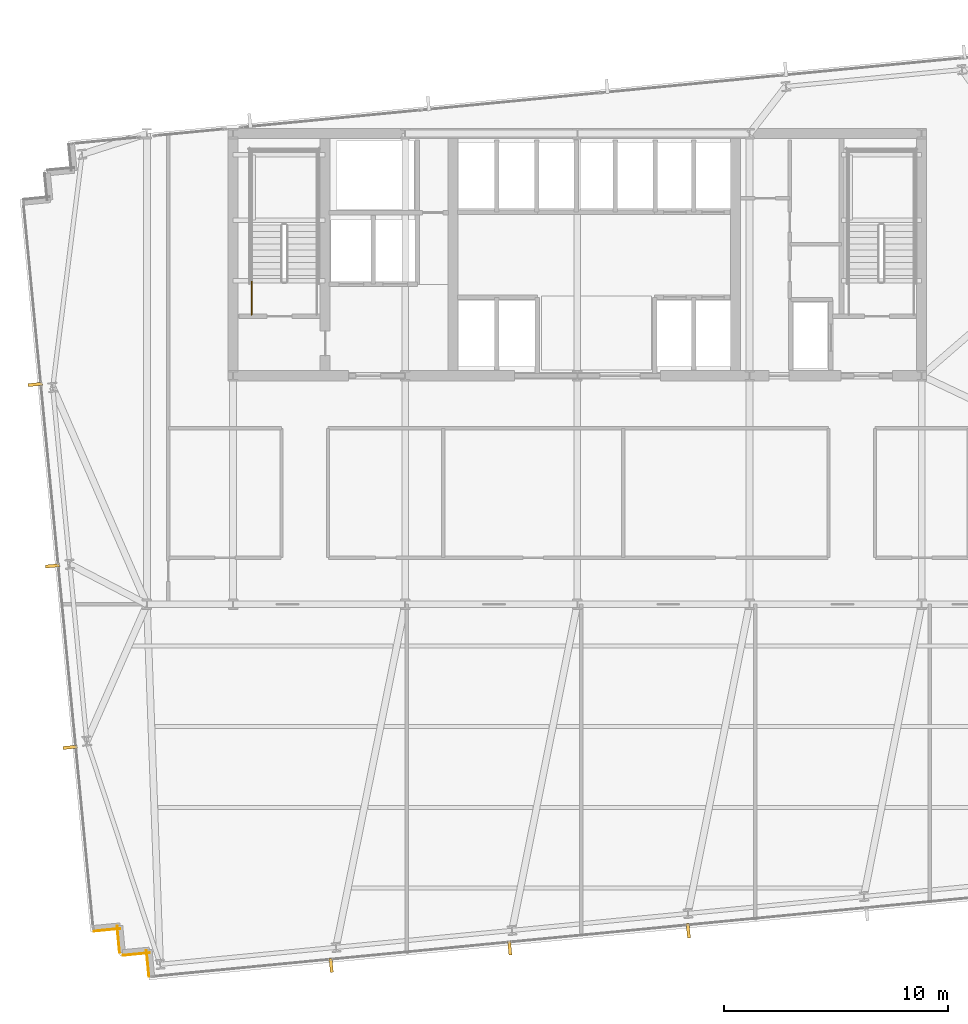
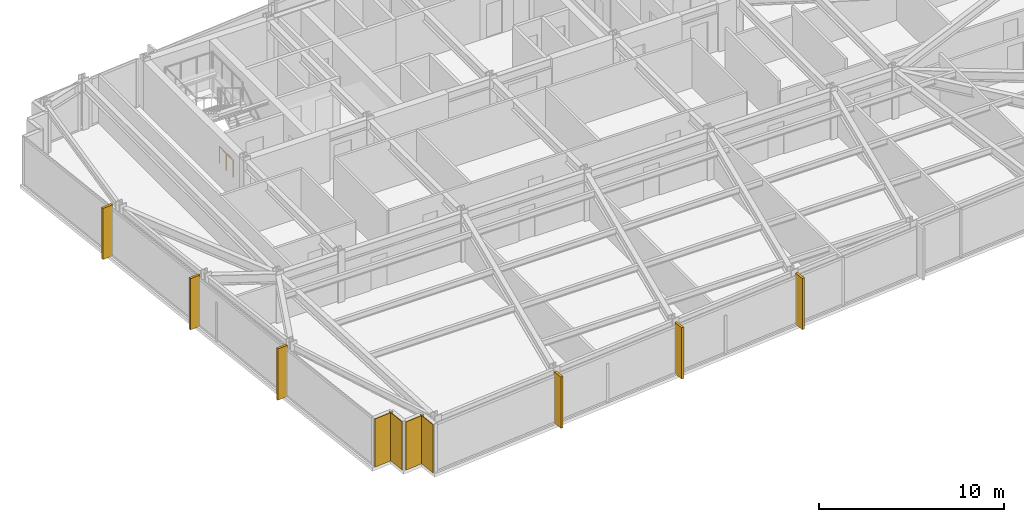
# One storey, part 27 of 32: 6 shading devices, 4 coverings, 1 railing.
"""IFC4 building model written with IfcOpenShell, lengths in metres."""

import ifcopenshell
import ifcopenshell.guid

model = None  # the IFC model being written
_history = None  # IfcOwnerHistory: only IFC2X3 demands one
_inside = {}  # id of a spatial element -> (the spatial element, [elements in it])
_under = {}  # id of a project, library or spatial element -> (it, [spatial elements below it])
_declared = {}  # id of a project -> (the project, [libraries it declares])
_typed = {}  # id of a type object -> (the type object, [elements of that type])
_made_of = {}  # id of a material, layer set ... -> (it, [elements and type objects made of it])


def new_model(schema):
    """Start an empty IFC model of exactly this schema.

    Asked for "IFC4X3", IfcOpenShell would pick the latest addendum, in which some entities
    have other attributes; the version numbers below select the first issue.
    IFC2X3 requires an IfcOwnerHistory on every rooted entity: one is made here for all.
    """
    global model, _history
    if schema == "IFC4X3":
        model = ifcopenshell.file(schema_version=(4, 3, 0, 0))
    else:
        model = ifcopenshell.file(schema=schema)
    _inside.clear()
    _under.clear()
    _declared.clear()
    _typed.clear()
    _made_of.clear()
    _history = None
    if model.schema == "IFC2X3":
        org = make("IfcOrganization", Name="unknown")
        user = make(
            "IfcPersonAndOrganization",
            ThePerson=make("IfcPerson", FamilyName="unknown"),
            TheOrganization=org,
        )
        app = make(
            "IfcApplication",
            ApplicationDeveloper=org,
            Version="unknown",
            ApplicationFullName="unknown",
            ApplicationIdentifier="unknown",
        )
        _history = make(
            "IfcOwnerHistory",
            OwningUser=user,
            OwningApplication=app,
            ChangeAction="ADDED",
            CreationDate=0,
        )
    return model


def make(cls, **values):
    """One entity of the class cls with the attributes given. An attribute that is None is left unset."""
    return model.create_entity(
        cls, **{name: value for name, value in values.items() if value is not None}
    )


def rooted(cls, **values):
    """An entity with a GlobalId (a new one), such as an element, a storey or a relation."""
    return make(cls, GlobalId=ifcopenshell.guid.new(), OwnerHistory=_history, **values)


def si_unit(unit_type, name, prefix=None):
    """IfcSIUnit, for example si_unit("LENGTHUNIT", "METRE", prefix="MILLI")."""
    return make("IfcSIUnit", UnitType=unit_type, Prefix=prefix, Name=name)


def assignment(units):
    """IfcUnitAssignment: the units of a project."""
    return None if units is None else make("IfcUnitAssignment", Units=units)


def point(xyz):
    """IfcCartesianPoint."""
    return None if xyz is None else make("IfcCartesianPoint", Coordinates=xyz)


def direction(xyz):
    """IfcDirection."""
    return None if xyz is None else make("IfcDirection", DirectionRatios=xyz)


def frame(location, z_axis=None, x_axis=None):
    """IfcAxis2Placement3D, a coordinate frame: its origin and axes. An axis left out is left unset."""
    return make(
        "IfcAxis2Placement3D",
        Location=point(location),
        Axis=direction(z_axis),
        RefDirection=direction(x_axis),
    )


def frame_2d(location, x_axis=None):
    """IfcAxis2Placement2D, a coordinate frame in the plane: its origin and x axis."""
    return make(
        "IfcAxis2Placement2D", Location=point(location), RefDirection=direction(x_axis)
    )


def origin():
    """The frame at (0, 0, 0) with its axes left unset."""
    return frame((0.0, 0.0, 0.0))


def origin_2d():
    """The frame at (0, 0) in the plane with its x axis left unset."""
    return frame_2d((0.0, 0.0))


def place(relative_to, where):
    """IfcLocalPlacement: puts the frame where relative to a parent placement (None: the world)."""
    return make(
        "IfcLocalPlacement", PlacementRelTo=relative_to, RelativePlacement=where
    )


def context(
    kind, dimensions, precision=None, world=None, true_north=None, identifier=None
):
    """IfcGeometricRepresentationContext, for example the 3D "Model" context."""
    return make(
        "IfcGeometricRepresentationContext",
        ContextIdentifier=identifier,
        ContextType=kind,
        CoordinateSpaceDimension=dimensions,
        Precision=precision,
        WorldCoordinateSystem=world,
        TrueNorth=true_north,
    )


def subcontext(parent, identifier, kind, view, scale=None):
    """IfcGeometricRepresentationSubContext, for example "Body" below "Model"."""
    return make(
        "IfcGeometricRepresentationSubContext",
        ContextIdentifier=identifier,
        ContextType=kind,
        ParentContext=parent,
        TargetScale=scale,
        TargetView=view,
    )


def project(units=None, contexts=None):
    """IfcProject with its units and contexts."""
    return rooted(
        "IfcProject",
        Name="project",
        RepresentationContexts=contexts,
        UnitsInContext=assignment(units),
    )


def spatial(cls, under=None, at=None, **own):
    """A site, building, storey or space (cls), placed at a placement, below another one or the project."""
    s = rooted(cls, ObjectPlacement=at, **own)
    if under is not None:
        _under.setdefault(under.id(), (under, []))[1].append(s)
    return s


def profile(cls, at=None, kind="AREA", **sizes):
    """A parametric profile (cls). Its sizes go by their IFC names, for example OverallWidth=200.0."""
    return make(cls, ProfileType=kind, Position=at, **sizes)


def rectangle(**sizes):
    """IfcRectangleProfileDef."""
    return profile("IfcRectangleProfileDef", **sizes)


def circle(**sizes):
    """IfcCircleProfileDef."""
    return profile("IfcCircleProfileDef", **sizes)


def extrude(swept, where, along, depth):
    """IfcExtrudedAreaSolid: the profile swept, set in the frame where, extruded along a direction by depth."""
    return make(
        "IfcExtrudedAreaSolid",
        SweptArea=swept,
        Position=where,
        ExtrudedDirection=direction(along),
        Depth=depth,
    )


def shape(context_of_items, identifier, shape_type, items):
    """IfcShapeRepresentation: the items that make up one representation, for example the "Body"."""
    return make(
        "IfcShapeRepresentation",
        ContextOfItems=context_of_items,
        RepresentationIdentifier=identifier,
        RepresentationType=shape_type,
        Items=items,
    )


def material(Name=None, Category=None):
    """IfcMaterial."""
    return make("IfcMaterial", Name=Name, Category=Category)


def layer(
    of_material, thickness, ventilated=None, Name=None, Category=None, Priority=None
):
    """IfcMaterialLayer: one layer of a wall or slab, of a material (None: an air gap)."""
    return make(
        "IfcMaterialLayer",
        Material=of_material,
        LayerThickness=thickness,
        IsVentilated=ventilated,
        Name=Name,
        Category=Category,
        Priority=Priority,
    )


def layer_set(layers, Name=None):
    """IfcMaterialLayerSet."""
    return make("IfcMaterialLayerSet", MaterialLayers=layers, LayerSetName=Name)


def made_of(thing, what):
    """Note that an element or type object is made of a material, layer set ...; save() writes the relation."""
    if what is not None:
        _made_of.setdefault(what.id(), (what, []))[1].append(thing)
    return thing


def type_object(cls, material=None, **own):
    """A type object (cls), such as IfcWallType, which elements share."""
    return made_of(rooted(cls, **own), material)


def element(
    cls,
    number,
    at=None,
    inside=None,
    cuts=None,
    type_object=None,
    material=None,
    context=None,
    identifier="Body",
    shape_type=None,
    held_by="IfcProductDefinitionShape",
    body=None,
    shapes=None,
    **own,
):
    """One element of the class cls, such as IfcWall. Its Tag is "e" and its number.

    at: its placement. inside: the storey or other place that contains it. cuts: it is an
    opening in that element (IfcRelVoidsElement). A single representation is given by context,
    identifier, shape_type and body (its items); several are given by shapes. held_by: the class
    of the entity that holds the representations. save() writes the other relations.
    """
    e = rooted(cls, Tag="e%d" % number, ObjectPlacement=at, **own)
    if body is not None:
        shapes = [shape(context, identifier, shape_type, body)]
    if shapes is not None:
        e.Representation = make(held_by, Representations=shapes)
    if inside is not None:
        _inside.setdefault(inside.id(), (inside, []))[1].append(e)
    if cuts is not None:
        rooted(
            "IfcRelVoidsElement", RelatingBuildingElement=cuts, RelatedOpeningElement=e
        )
    if type_object is not None:
        _typed.setdefault(type_object.id(), (type_object, []))[1].append(e)
    return made_of(e, material)


def aggregate(whole, parts):
    """IfcRelAggregates: a whole, such as a stair, and the parts it consists of."""
    return rooted("IfcRelAggregates", RelatingObject=whole, RelatedObjects=parts)


def save(model, path):
    """Write the relations noted so far, then the file.

    IfcRelAggregates (storeys below a building ...), IfcRelContainedInSpatialStructure (elements
    in a storey), IfcRelDefinesByType, IfcRelAssociatesMaterial and IfcRelDeclares: one each for
    every whole, place, type object, material and project.
    """
    for whole, parts in _under.values():
        aggregate(whole, parts)
    for where, things in _inside.values():
        rooted(
            "IfcRelContainedInSpatialStructure",
            RelatedElements=things,
            RelatingStructure=where,
        )
    for kind, things in _typed.values():
        rooted("IfcRelDefinesByType", RelatedObjects=things, RelatingType=kind)
    for what, things in _made_of.values():
        rooted("IfcRelAssociatesMaterial", RelatedObjects=things, RelatingMaterial=what)
    for by, libraries in _declared.values():
        rooted("IfcRelDeclares", RelatingContext=by, RelatedDefinitions=libraries)
    model.write(path)


model = new_model("IFC4")

# Units and contexts
model_context = context("Model", 3, precision=1e-05, world=origin(), true_north=direction((0.0, 1.0)))
body_context = subcontext(model_context, "Body", "Model", "MODEL_VIEW")
ifc_project = project(units=[si_unit("LENGTHUNIT", "METRE"), si_unit("AREAUNIT", "SQUARE_METRE"), si_unit("VOLUMEUNIT", "CUBIC_METRE"), si_unit("PLANEANGLEUNIT", "RADIAN"), si_unit("MASSUNIT", "GRAM", prefix="KILO")], contexts=[model_context])

# Site, building, storey
site_placement = place(None, origin())
site = spatial("IfcSite", under=ifc_project, at=site_placement, CompositionType="ELEMENT")
building_placement = place(site_placement, origin())
building = spatial("IfcBuilding", under=site, at=building_placement, Name="Yelkora Congress Tower", CompositionType="ELEMENT")
storey_placement = place(building_placement, frame((0.0, 0.0, 93.10009765625)))
storey = spatial("IfcBuildingStorey", under=building, at=storey_placement, Name="L24", CompositionType="ELEMENT", Elevation=93.10009765625)

# Coverings
ifc_material_1 = material(Name="Anatolian bush-hammered limestone", Category="masonry")
ifc_layer_1 = layer(ifc_material_1, 0.0400390625)
ifc_layer_set_1 = layer_set([ifc_layer_1], Name="Anatolian bush-hammered limestone")
covering_type = type_object("IfcCoveringType", Name="COV-CLAD-SPANDREL-40", PredefinedType="CLADDING", material=ifc_layer_set_1)
covering_1_placement = place(storey_placement, frame((19.29248046875, 8.58447265625, 0.0), z_axis=(0.0, 0.0, 1.0), x_axis=(-0.095836473879, 0.995397091755, 0.0)))
element("IfcCovering", 1, at=covering_1_placement, inside=storey, type_object=covering_type, Name="L24 Anatolian Limestone Cladding EW-L24-SR01", PredefinedType="CLADDING", context=body_context, shape_type="SweptSolid", body=[
    extrude(rectangle(XDim=1.199951171875, YDim=0.0400390625, at=frame_2d((0.60009765625, 0.0))), origin(), (0.0, 0.0, 1.0), 3.179931640625),
])
for number, where, z_axis, x_axis, name in (
    (2, (19.32470703125, 9.657470703125, 0.0), (0.0, 0.0, 1.0), (-0.995398960025, -0.095817067274, 0.0), "L24 Anatolian Limestone Cladding EW-L24-SR02"),
    (3, (17.98291015625, 9.663818359375, 0.0), (0.0, 0.0, 1.0), (-0.095817067274, 0.995398960025, 0.0), "L24 Anatolian Limestone Cladding EW-L24-SR03"),
):
    element("IfcCovering", number, at=place(storey_placement, frame(where, z_axis=z_axis, x_axis=x_axis)), inside=storey, type_object=covering_type, Name=name, PredefinedType="CLADDING", context=body_context, shape_type="SweptSolid", body=[
        extrude(rectangle(XDim=1.2001953125, YDim=0.0400390625, at=frame_2d((0.60009765625, 0.0))), origin(), (0.0, 0.0, 1.0), 3.179931640625),
    ])
covering_2_placement = place(storey_placement, frame((18.01513671875, 10.737060546875, 0.0), z_axis=(0.0, 0.0, 1.0), x_axis=(-0.995397091755, -0.095836473879, 0.0)))
element("IfcCovering", 4, at=covering_2_placement, inside=storey, type_object=covering_type, Name="L24 Anatolian Limestone Cladding EW-L24-SR04", PredefinedType="CLADDING", context=body_context, shape_type="SweptSolid", body=[
    extrude(rectangle(XDim=1.199951171875, YDim=0.0400390625, at=frame_2d((0.60009765625, 0.0))), origin(), (0.0, 0.0, 1.0), 3.179931640625),
])

# Railing
ifc_material_2 = material(Name="Painted galvanised steel stair well guard with vertical infill", Category="steel")
ifc_layer_2 = layer(ifc_material_2, 0.06005859375)
ifc_layer_set_2 = layer_set([ifc_layer_2], Name="Painted galvanised steel stair well guard with vertical infill")
railing_type = type_object("IfcRailingType", Name="RAIL-STAIR-GUARD-1120", PredefinedType="GUARDRAIL", material=ifc_layer_set_2)
railing_placement = place(storey_placement, frame((23.8701171875, 38.1201171875, 0.0)))
element("IfcRailing", 5, at=railing_placement, inside=storey, type_object=railing_type, Name="ST-01 L24 Stair Well Guardrail 9", PredefinedType="GUARDRAIL", context=body_context, shape_type="SweptSolid", body=[
    extrude(circle(Radius=0.02392578125, at=origin_2d()), frame((0.0, 0.0, 1.09619140625), z_axis=(0.0, 1.0, 0.0), x_axis=(-1.0, 0.0, 0.0)), (0.0, 0.0, 1.0), 1.47998046875),
    extrude(circle(Radius=0.02099609375, at=origin_2d()), origin(), (0.0, 0.0, 1.0), 1.072021484375),
    extrude(circle(Radius=0.02099609375, at=origin_2d()), frame((0.0, 0.739990234375, 0.0)), (0.0, 0.0, 1.0), 1.072021484375),
    extrude(circle(Radius=0.02099609375, at=origin_2d()), frame((0.0, 1.47998046875, 0.0)), (0.0, 0.0, 1.0), 1.072021484375),
])

# Shading devices
ifc_material_3 = material(Name="Champagne anodised aluminium", Category="aluminium")
ifc_layer_3 = layer(ifc_material_3, 3.39990234375)
ifc_layer_set_3 = layer_set([ifc_layer_3], Name="Champagne anodised aluminium")
shading_device_type = type_object("IfcShadingDeviceType", Name="SHD-FIN-ALU-640", PredefinedType="USERDEFINED", material=ifc_layer_set_3)
for number, where, z_axis, x_axis, name in (
    (6, (15.769775390625, 18.823974609375, -0.030029296875), (0.0, 0.0, 1.0), (-0.09584575252, 0.995396198367, 0.0), "L24 Vertical Anodised Solar Fin 5-1"),
    (7, (14.990478515625, 26.91650390625, -0.030029296875), (0.0, 0.0, 1.0), (-0.09584575252, 0.995396198367, 0.0), "L24 Vertical Anodised Solar Fin 5-2"),
    (8, (14.211181640625, 35.00927734375, -0.030029296875), (0.0, 0.0, 1.0), (-0.09584575252, 0.995396198367, 0.0), "L24 Vertical Anodised Solar Fin 5-3"),
    (9, (43.349609375, 10.639892578125, -0.030029296875), (0.0, 0.0, 1.0), (-0.995396198367, -0.09584575252, 0.0), "L24 Vertical Anodised Solar Fin 20-4"),
    (10, (35.3837890625, 9.872802734375, -0.030029296875), (0.0, 0.0, 1.0), (-0.995396198367, -0.09584575252, 0.0), "L24 Vertical Anodised Solar Fin 20-5"),
    (11, (27.417724609375, 9.105712890625, -0.030029296875), (0.0, 0.0, 1.0), (-0.995396198367, -0.09584575252, 0.0), "L24 Vertical Anodised Solar Fin 20-6"),
):
    element("IfcShadingDevice", number, at=place(storey_placement, frame(where, z_axis=z_axis, x_axis=x_axis)), inside=storey, type_object=shading_device_type, Name=name, ObjectType="FIN", PredefinedType="USERDEFINED", context=body_context, shape_type="SweptSolid", body=[
        extrude(rectangle(XDim=0.139892578125, YDim=0.639892578125, at=origin_2d()), origin(), (0.0, 0.0, 1.0), 3.3798828125),
    ])

save(model, "model.ifc")
